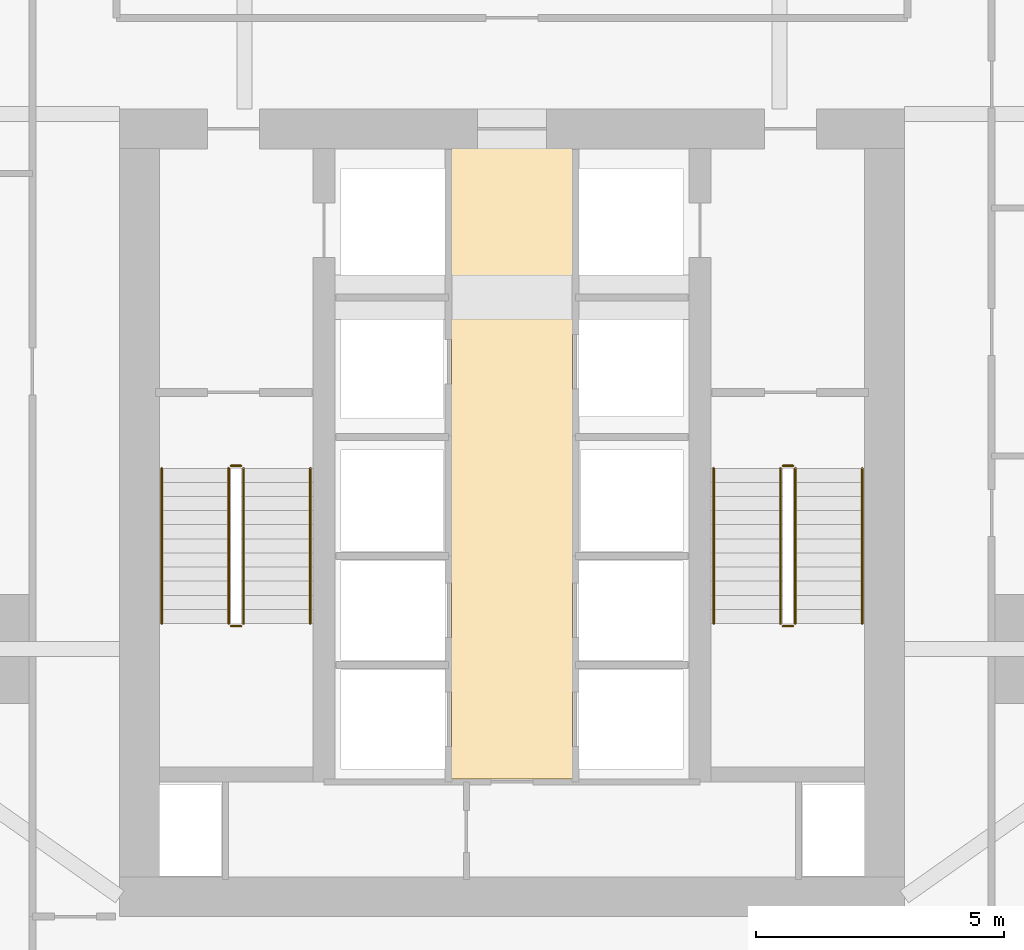
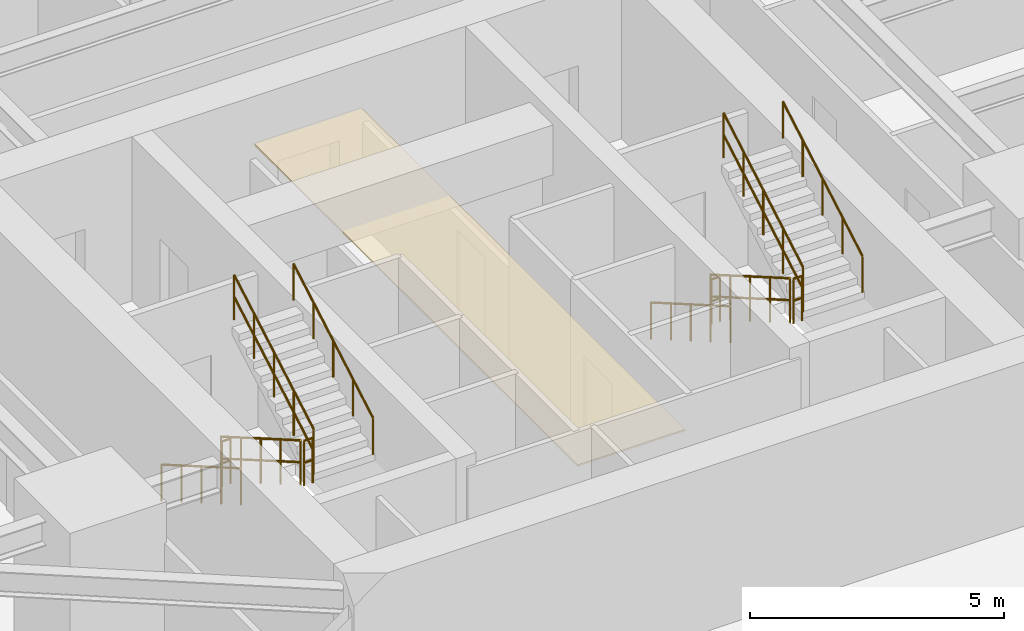
# One storey, part 29 of 30: 12 railings, 1 covering.
"""IFC4 building model written with IfcOpenShell, lengths in metres."""

from ifc_helpers import new_model, si_unit, direction, frame, origin, origin_2d, place, context, subcontext, project, spatial, polyline, circle, outline, extrude, material, layer, layer_set, type_object, element, save


model = new_model("IFC4")

# Units and contexts
model_context = context("Model", 3, precision=1e-05, world=origin(), true_north=direction((0.0, 1.0)))
body_context = subcontext(model_context, "Body", "Model", "MODEL_VIEW")
ifc_project = project(units=[si_unit("LENGTHUNIT", "METRE"), si_unit("AREAUNIT", "SQUARE_METRE"), si_unit("VOLUMEUNIT", "CUBIC_METRE"), si_unit("PLANEANGLEUNIT", "RADIAN"), si_unit("MASSUNIT", "GRAM", prefix="KILO")], contexts=[model_context])

# Site, building, storey
site_placement = place(None, origin())
site = spatial("IfcSite", under=ifc_project, at=site_placement, CompositionType="ELEMENT")
building_placement = place(site_placement, origin())
building = spatial("IfcBuilding", under=site, at=building_placement, Name="Krantzveldt Concourse Tower", CompositionType="ELEMENT")
storey_placement = place(building_placement, frame((0.0, 0.0, 36.85009765625)))
storey = spatial("IfcBuildingStorey", under=building, at=storey_placement, Name="L08", CompositionType="ELEMENT", Elevation=36.85009765625)

# Covering
ifc_material_1 = material(Name="Perforated acoustic mineral-fibre ceiling tile", Category="ceiling")
ifc_layer_1 = layer(ifc_material_1, 0.0400390625, Name="Perforated acoustic mineral-fibre ceiling tile", Category="ceiling")
ifc_layer_set_1 = layer_set([ifc_layer_1], Name="Perforated acoustic mineral-fibre ceiling tile (COV-CEIL-ACOUSTIC)")
covering_type = type_object("IfcCoveringType", Name="COV-CEIL-ACOUSTIC", PredefinedType="CEILING", material=ifc_layer_set_1)
covering_placement = place(storey_placement, frame((0.0, 0.0, 2.75)))
element("IfcCovering", 1, at=covering_placement, inside=storey, type_object=covering_type, Name="CLG-L08-LLB", PredefinedType="CEILING", context=body_context, shape_type="SweptSolid", body=[
    extrude(outline(polyline([(37.22509765625, 13.27490234375), (34.77490234375, 13.27490234375), (34.77490234375, 26.044921875), (37.22509765625, 26.044921875), (37.22509765625, 13.27490234375)])), origin(), (0.0, 0.0, 1.0), 0.039794921875),
])

# Railings
ifc_material_2 = material(Name="Stainless steel 316L", Category="steel")
ifc_layer_2 = layer(ifc_material_2, 0.06005859375, Name="Stainless steel 316L", Category="steel")
ifc_layer_set_2 = layer_set([ifc_layer_2], Name="Stainless steel 316L (RL-GUARD-1120)")
railing_type_1 = type_object("IfcRailingType", Name="RL-GUARD-1120", PredefinedType="GUARDRAIL", material=ifc_layer_set_2)
railing_1_placement = place(storey_placement, frame((30.280029296875, 19.550048828125, 0.16455078125)))
element("IfcRailing", 2, at=railing_1_placement, inside=storey, type_object=railing_type_1, Name="L08 ST-1 stair guard 1", PredefinedType="GUARDRAIL", context=body_context, shape_type="SweptSolid", body=[
    extrude(circle(Radius=0.02392578125, at=origin_2d()), frame((0.0, 0.0, 1.076171875), z_axis=(0.0, -0.865989039225, 0.500062979975), x_axis=(1.0, 0.0, 0.0)), (0.0, 0.0, 1.0), 3.6201171875),
    extrude(circle(Radius=0.02392578125, at=origin_2d()), frame((0.0, 0.0, 0.550048828125), z_axis=(0.0, -0.865989039225, 0.500062979975), x_axis=(1.0, 0.0, 0.0)), (0.0, 0.0, 1.0), 3.6201171875),
    extrude(circle(Radius=0.02099609375, at=origin_2d()), origin(), (0.0, 0.0, 1.0), 1.052001953125),
    extrude(circle(Radius=0.02099609375, at=origin_2d()), frame((0.0, -0.78369140625, 0.45263671875)), (0.0, 0.0, 1.0), 1.052001953125),
    extrude(circle(Radius=0.02099609375, at=origin_2d()), frame((0.0, -1.5673828125, 0.9052734375)), (0.0, 0.0, 1.0), 1.052001953125),
    extrude(circle(Radius=0.02099609375, at=origin_2d()), frame((0.0, -2.351318359375, 1.357666015625)), (0.0, 0.0, 1.0), 1.052001953125),
    extrude(circle(Radius=0.02099609375, at=origin_2d()), frame((0.0, -3.135009765625, 1.810302734375)), (0.0, 0.0, 1.0), 1.052001953125),
])
railing_2_placement = place(storey_placement, frame((30.330078125, 16.364990234375, 1.974853515625)))
element("IfcRailing", 3, at=railing_2_placement, inside=storey, type_object=railing_type_1, Name="L08 ST-1 stair guard 2", PredefinedType="GUARDRAIL", context=body_context, shape_type="SweptSolid", body=[
    extrude(circle(Radius=0.02392578125, at=origin_2d()), frame((0.0, 0.0, 1.076171875), z_axis=(1.0, 0.0, 0.0), x_axis=(0.0, 1.0, 0.0)), (0.0, 0.0, 1.0), 0.199951171875),
    extrude(circle(Radius=0.02392578125, at=origin_2d()), frame((0.0, 0.0, 0.550048828125), z_axis=(1.0, 0.0, 0.0), x_axis=(0.0, 1.0, 0.0)), (0.0, 0.0, 1.0), 0.199951171875),
    extrude(circle(Radius=0.02099609375, at=origin_2d()), origin(), (0.0, 0.0, 1.0), 1.052001953125),
    extrude(circle(Radius=0.02099609375, at=origin_2d()), frame((0.199951171875, 0.0, 0.0)), (0.0, 0.0, 1.0), 1.052001953125),
])
railing_3_placement = place(storey_placement, frame((30.580078125, 16.4150390625, 2.139404296875)))
element("IfcRailing", 4, at=railing_3_placement, inside=storey, type_object=railing_type_1, Name="L08 ST-1 stair guard 3", PredefinedType="GUARDRAIL", context=body_context, shape_type="SweptSolid", body=[
    extrude(circle(Radius=0.02392578125, at=origin_2d()), frame((0.0, 0.0, 1.076171875), z_axis=(0.0, 0.865959834175, 0.500113552702), x_axis=(-1.0, 0.0, 0.0)), (0.0, 0.0, 1.0), 3.620361328125),
    extrude(circle(Radius=0.02392578125, at=origin_2d()), frame((0.0, 0.0, 0.550048828125), z_axis=(0.0, 0.865959834175, 0.500113552702), x_axis=(-1.0, 0.0, 0.0)), (0.0, 0.0, 1.0), 3.620361328125),
    extrude(circle(Radius=0.02099609375, at=origin_2d()), origin(), (0.0, 0.0, 1.0), 1.052001953125),
    extrude(circle(Radius=0.02099609375, at=origin_2d()), frame((0.0, 0.78369140625, 0.45263671875)), (0.0, 0.0, 1.0), 1.052001953125),
    extrude(circle(Radius=0.02099609375, at=origin_2d()), frame((0.0, 1.5673828125, 0.9052734375)), (0.0, 0.0, 1.0), 1.052001953125),
    extrude(circle(Radius=0.02099609375, at=origin_2d()), frame((0.0, 2.351318359375, 1.35791015625)), (0.0, 0.0, 1.0), 1.052001953125),
    extrude(circle(Radius=0.02099609375, at=origin_2d()), frame((0.0, 3.135009765625, 1.810546875)), (0.0, 0.0, 1.0), 1.052001953125),
])
railing_4_placement = place(storey_placement, frame((30.330078125, 19.60009765625, 0.0)))
element("IfcRailing", 5, at=railing_4_placement, inside=storey, type_object=railing_type_1, Name="L08 ST-1 stair guard 4", PredefinedType="GUARDRAIL", context=body_context, shape_type="SweptSolid", body=[
    extrude(circle(Radius=0.02392578125, at=origin_2d()), frame((0.0, 0.0, 1.076171875), z_axis=(1.0, 0.0, 0.0), x_axis=(0.0, 1.0, 0.0)), (0.0, 0.0, 1.0), 0.199951171875),
    extrude(circle(Radius=0.02392578125, at=origin_2d()), frame((0.0, 0.0, 0.550048828125), z_axis=(1.0, 0.0, 0.0), x_axis=(0.0, 1.0, 0.0)), (0.0, 0.0, 1.0), 0.199951171875),
    extrude(circle(Radius=0.02099609375, at=origin_2d()), origin(), (0.0, 0.0, 1.0), 1.052001953125),
    extrude(circle(Radius=0.02099609375, at=origin_2d()), frame((0.199951171875, 0.0, 0.0)), (0.0, 0.0, 1.0), 1.052001953125),
])
railing_5_placement = place(storey_placement, frame((41.419921875, 19.550048828125, 0.16455078125)))
element("IfcRailing", 6, at=railing_5_placement, inside=storey, type_object=railing_type_1, Name="L08 ST-2 stair guard 1", PredefinedType="GUARDRAIL", context=body_context, shape_type="SweptSolid", body=[
    extrude(circle(Radius=0.02392578125, at=origin_2d()), frame((0.0, 0.0, 1.076171875), z_axis=(0.0, -0.865989039225, 0.500062979975), x_axis=(1.0, 0.0, 0.0)), (0.0, 0.0, 1.0), 3.6201171875),
    extrude(circle(Radius=0.02392578125, at=origin_2d()), frame((0.0, 0.0, 0.550048828125), z_axis=(0.0, -0.865989039225, 0.500062979975), x_axis=(1.0, 0.0, 0.0)), (0.0, 0.0, 1.0), 3.6201171875),
    extrude(circle(Radius=0.02099609375, at=origin_2d()), origin(), (0.0, 0.0, 1.0), 1.052001953125),
    extrude(circle(Radius=0.02099609375, at=origin_2d()), frame((0.0, -0.78369140625, 0.45263671875)), (0.0, 0.0, 1.0), 1.052001953125),
    extrude(circle(Radius=0.02099609375, at=origin_2d()), frame((0.0, -1.5673828125, 0.9052734375)), (0.0, 0.0, 1.0), 1.052001953125),
    extrude(circle(Radius=0.02099609375, at=origin_2d()), frame((0.0, -2.351318359375, 1.357666015625)), (0.0, 0.0, 1.0), 1.052001953125),
    extrude(circle(Radius=0.02099609375, at=origin_2d()), frame((0.0, -3.135009765625, 1.810302734375)), (0.0, 0.0, 1.0), 1.052001953125),
])
railing_6_placement = place(storey_placement, frame((41.469970703125, 16.364990234375, 1.974853515625)))
element("IfcRailing", 7, at=railing_6_placement, inside=storey, type_object=railing_type_1, Name="L08 ST-2 stair guard 2", PredefinedType="GUARDRAIL", context=body_context, shape_type="SweptSolid", body=[
    extrude(circle(Radius=0.02392578125, at=origin_2d()), frame((0.0, 0.0, 1.076171875), z_axis=(1.0, 0.0, 0.0), x_axis=(0.0, 1.0, 0.0)), (0.0, 0.0, 1.0), 0.199951171875),
    extrude(circle(Radius=0.02392578125, at=origin_2d()), frame((0.0, 0.0, 0.550048828125), z_axis=(1.0, 0.0, 0.0), x_axis=(0.0, 1.0, 0.0)), (0.0, 0.0, 1.0), 0.199951171875),
    extrude(circle(Radius=0.02099609375, at=origin_2d()), origin(), (0.0, 0.0, 1.0), 1.052001953125),
    extrude(circle(Radius=0.02099609375, at=origin_2d()), frame((0.199951171875, 0.0, 0.0)), (0.0, 0.0, 1.0), 1.052001953125),
])
railing_7_placement = place(storey_placement, frame((41.719970703125, 16.4150390625, 2.139404296875)))
element("IfcRailing", 8, at=railing_7_placement, inside=storey, type_object=railing_type_1, Name="L08 ST-2 stair guard 3", PredefinedType="GUARDRAIL", context=body_context, shape_type="SweptSolid", body=[
    extrude(circle(Radius=0.02392578125, at=origin_2d()), frame((0.0, 0.0, 1.076171875), z_axis=(0.0, 0.865959834175, 0.500113552702), x_axis=(-1.0, 0.0, 0.0)), (0.0, 0.0, 1.0), 3.620361328125),
    extrude(circle(Radius=0.02392578125, at=origin_2d()), frame((0.0, 0.0, 0.550048828125), z_axis=(0.0, 0.865959834175, 0.500113552702), x_axis=(-1.0, 0.0, 0.0)), (0.0, 0.0, 1.0), 3.620361328125),
    extrude(circle(Radius=0.02099609375, at=origin_2d()), origin(), (0.0, 0.0, 1.0), 1.052001953125),
    extrude(circle(Radius=0.02099609375, at=origin_2d()), frame((0.0, 0.78369140625, 0.45263671875)), (0.0, 0.0, 1.0), 1.052001953125),
    extrude(circle(Radius=0.02099609375, at=origin_2d()), frame((0.0, 1.5673828125, 0.9052734375)), (0.0, 0.0, 1.0), 1.052001953125),
    extrude(circle(Radius=0.02099609375, at=origin_2d()), frame((0.0, 2.351318359375, 1.35791015625)), (0.0, 0.0, 1.0), 1.052001953125),
    extrude(circle(Radius=0.02099609375, at=origin_2d()), frame((0.0, 3.135009765625, 1.810546875)), (0.0, 0.0, 1.0), 1.052001953125),
])
railing_8_placement = place(storey_placement, frame((41.469970703125, 19.60009765625, 0.0)))
element("IfcRailing", 9, at=railing_8_placement, inside=storey, type_object=railing_type_1, Name="L08 ST-2 stair guard 4", PredefinedType="GUARDRAIL", context=body_context, shape_type="SweptSolid", body=[
    extrude(circle(Radius=0.02392578125, at=origin_2d()), frame((0.0, 0.0, 1.076171875), z_axis=(1.0, 0.0, 0.0), x_axis=(0.0, 1.0, 0.0)), (0.0, 0.0, 1.0), 0.199951171875),
    extrude(circle(Radius=0.02392578125, at=origin_2d()), frame((0.0, 0.0, 0.550048828125), z_axis=(1.0, 0.0, 0.0), x_axis=(0.0, 1.0, 0.0)), (0.0, 0.0, 1.0), 0.199951171875),
    extrude(circle(Radius=0.02099609375, at=origin_2d()), origin(), (0.0, 0.0, 1.0), 1.052001953125),
    extrude(circle(Radius=0.02099609375, at=origin_2d()), frame((0.199951171875, 0.0, 0.0)), (0.0, 0.0, 1.0), 1.052001953125),
])
ifc_layer_3 = layer(ifc_material_2, 0.050048828125, Name="Stainless steel 316L", Category="steel")
ifc_layer_set_3 = layer_set([ifc_layer_3], Name="Stainless steel 316L (RL-HANDRAIL-920)")
railing_type_2 = type_object("IfcRailingType", Name="RL-HANDRAIL-920", PredefinedType="HANDRAIL", material=ifc_layer_set_3)
railing_9_placement = place(storey_placement, frame((28.929931640625, 19.550048828125, 0.16455078125)))
element("IfcRailing", 10, at=railing_9_placement, inside=storey, type_object=railing_type_2, Name="L08 ST-1 stair handrail 1", PredefinedType="HANDRAIL", context=body_context, shape_type="SweptSolid", body=[
    extrude(circle(Radius=0.02392578125, at=origin_2d()), frame((0.0, 0.0, 0.8759765625), z_axis=(0.0, -0.865989039225, 0.500062979975), x_axis=(1.0, 0.0, 0.0)), (0.0, 0.0, 1.0), 3.6201171875),
    extrude(circle(Radius=0.02099609375, at=origin_2d()), origin(), (0.0, 0.0, 1.0), 0.851806640625),
    extrude(circle(Radius=0.02099609375, at=origin_2d()), frame((0.0, -0.78369140625, 0.45263671875)), (0.0, 0.0, 1.0), 0.851806640625),
    extrude(circle(Radius=0.02099609375, at=origin_2d()), frame((0.0, -1.5673828125, 0.9052734375)), (0.0, 0.0, 1.0), 0.851806640625),
    extrude(circle(Radius=0.02099609375, at=origin_2d()), frame((0.0, -2.351318359375, 1.357666015625)), (0.0, 0.0, 1.0), 0.851806640625),
    extrude(circle(Radius=0.02099609375, at=origin_2d()), frame((0.0, -3.135009765625, 1.810302734375)), (0.0, 0.0, 1.0), 0.851806640625),
])
railing_10_placement = place(storey_placement, frame((31.929931640625, 16.4150390625, 2.139404296875)))
element("IfcRailing", 11, at=railing_10_placement, inside=storey, type_object=railing_type_2, Name="L08 ST-1 stair handrail 2", PredefinedType="HANDRAIL", context=body_context, shape_type="SweptSolid", body=[
    extrude(circle(Radius=0.02392578125, at=origin_2d()), frame((0.0, 0.0, 0.8759765625), z_axis=(0.0, 0.865959834175, 0.500113552702), x_axis=(-1.0, 0.0, 0.0)), (0.0, 0.0, 1.0), 3.620361328125),
    extrude(circle(Radius=0.02099609375, at=origin_2d()), origin(), (0.0, 0.0, 1.0), 0.851806640625),
    extrude(circle(Radius=0.02099609375, at=origin_2d()), frame((0.0, 0.78369140625, 0.45263671875)), (0.0, 0.0, 1.0), 0.851806640625),
    extrude(circle(Radius=0.02099609375, at=origin_2d()), frame((0.0, 1.5673828125, 0.9052734375)), (0.0, 0.0, 1.0), 0.851806640625),
    extrude(circle(Radius=0.02099609375, at=origin_2d()), frame((0.0, 2.351318359375, 1.35791015625)), (0.0, 0.0, 1.0), 0.851806640625),
    extrude(circle(Radius=0.02099609375, at=origin_2d()), frame((0.0, 3.135009765625, 1.810546875)), (0.0, 0.0, 1.0), 0.851806640625),
])
railing_11_placement = place(storey_placement, frame((40.070068359375, 19.550048828125, 0.16455078125)))
element("IfcRailing", 12, at=railing_11_placement, inside=storey, type_object=railing_type_2, Name="L08 ST-2 stair handrail 1", PredefinedType="HANDRAIL", context=body_context, shape_type="SweptSolid", body=[
    extrude(circle(Radius=0.02392578125, at=origin_2d()), frame((0.0, 0.0, 0.8759765625), z_axis=(0.0, -0.865989039225, 0.500062979975), x_axis=(1.0, 0.0, 0.0)), (0.0, 0.0, 1.0), 3.6201171875),
    extrude(circle(Radius=0.02099609375, at=origin_2d()), origin(), (0.0, 0.0, 1.0), 0.851806640625),
    extrude(circle(Radius=0.02099609375, at=origin_2d()), frame((0.0, -0.78369140625, 0.45263671875)), (0.0, 0.0, 1.0), 0.851806640625),
    extrude(circle(Radius=0.02099609375, at=origin_2d()), frame((0.0, -1.5673828125, 0.9052734375)), (0.0, 0.0, 1.0), 0.851806640625),
    extrude(circle(Radius=0.02099609375, at=origin_2d()), frame((0.0, -2.351318359375, 1.357666015625)), (0.0, 0.0, 1.0), 0.851806640625),
    extrude(circle(Radius=0.02099609375, at=origin_2d()), frame((0.0, -3.135009765625, 1.810302734375)), (0.0, 0.0, 1.0), 0.851806640625),
])
railing_12_placement = place(storey_placement, frame((43.070068359375, 16.4150390625, 2.139404296875)))
element("IfcRailing", 13, at=railing_12_placement, inside=storey, type_object=railing_type_2, Name="L08 ST-2 stair handrail 2", PredefinedType="HANDRAIL", context=body_context, shape_type="SweptSolid", body=[
    extrude(circle(Radius=0.02392578125, at=origin_2d()), frame((0.0, 0.0, 0.8759765625), z_axis=(0.0, 0.865959834175, 0.500113552702), x_axis=(-1.0, 0.0, 0.0)), (0.0, 0.0, 1.0), 3.620361328125),
    extrude(circle(Radius=0.02099609375, at=origin_2d()), origin(), (0.0, 0.0, 1.0), 0.851806640625),
    extrude(circle(Radius=0.02099609375, at=origin_2d()), frame((0.0, 0.78369140625, 0.45263671875)), (0.0, 0.0, 1.0), 0.851806640625),
    extrude(circle(Radius=0.02099609375, at=origin_2d()), frame((0.0, 1.5673828125, 0.9052734375)), (0.0, 0.0, 1.0), 0.851806640625),
    extrude(circle(Radius=0.02099609375, at=origin_2d()), frame((0.0, 2.351318359375, 1.35791015625)), (0.0, 0.0, 1.0), 0.851806640625),
    extrude(circle(Radius=0.02099609375, at=origin_2d()), frame((0.0, 3.135009765625, 1.810546875)), (0.0, 0.0, 1.0), 0.851806640625),
])

save(model, "model.ifc")
